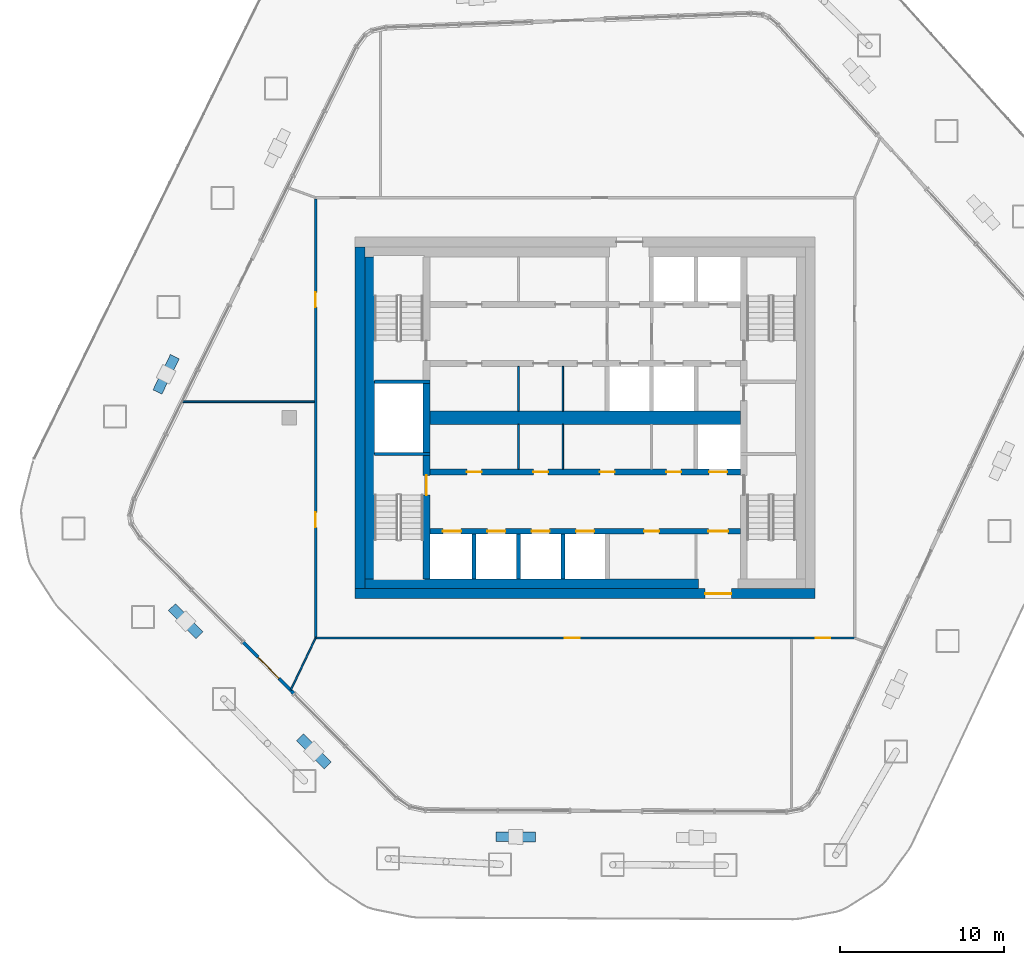
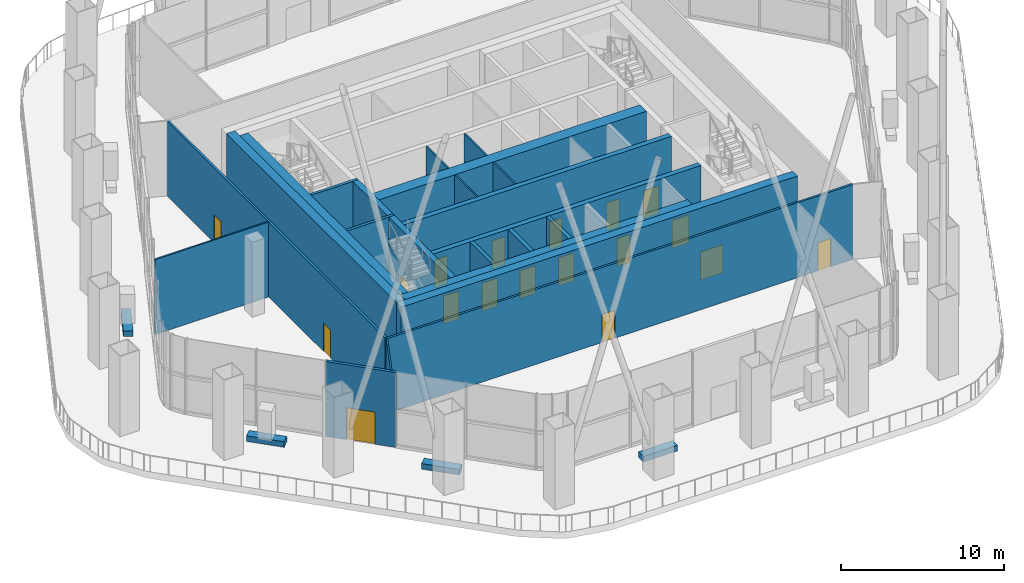
# One storey, part 12 of 20: 27 walls, 18 doors, 18 openings.
"""IFC4 building model written with IfcOpenShell, lengths in metres."""

import ifcopenshell
import ifcopenshell.guid

model = None  # the IFC model being written
_history = None  # IfcOwnerHistory: only IFC2X3 demands one
_inside = {}  # id of a spatial element -> (the spatial element, [elements in it])
_under = {}  # id of a project, library or spatial element -> (it, [spatial elements below it])
_declared = {}  # id of a project -> (the project, [libraries it declares])
_typed = {}  # id of a type object -> (the type object, [elements of that type])
_made_of = {}  # id of a material, layer set ... -> (it, [elements and type objects made of it])


def new_model(schema):
    """Start an empty IFC model of exactly this schema.

    Asked for "IFC4X3", IfcOpenShell would pick the latest addendum, in which some entities
    have other attributes; the version numbers below select the first issue.
    IFC2X3 requires an IfcOwnerHistory on every rooted entity: one is made here for all.
    """
    global model, _history
    if schema == "IFC4X3":
        model = ifcopenshell.file(schema_version=(4, 3, 0, 0))
    else:
        model = ifcopenshell.file(schema=schema)
    _inside.clear()
    _under.clear()
    _declared.clear()
    _typed.clear()
    _made_of.clear()
    _history = None
    if model.schema == "IFC2X3":
        org = make("IfcOrganization", Name="unknown")
        user = make(
            "IfcPersonAndOrganization",
            ThePerson=make("IfcPerson", FamilyName="unknown"),
            TheOrganization=org,
        )
        app = make(
            "IfcApplication",
            ApplicationDeveloper=org,
            Version="unknown",
            ApplicationFullName="unknown",
            ApplicationIdentifier="unknown",
        )
        _history = make(
            "IfcOwnerHistory",
            OwningUser=user,
            OwningApplication=app,
            ChangeAction="ADDED",
            CreationDate=0,
        )
    return model


def make(cls, **values):
    """One entity of the class cls with the attributes given. An attribute that is None is left unset."""
    return model.create_entity(
        cls, **{name: value for name, value in values.items() if value is not None}
    )


def rooted(cls, **values):
    """An entity with a GlobalId (a new one), such as an element, a storey or a relation."""
    return make(cls, GlobalId=ifcopenshell.guid.new(), OwnerHistory=_history, **values)


def si_unit(unit_type, name, prefix=None):
    """IfcSIUnit, for example si_unit("LENGTHUNIT", "METRE", prefix="MILLI")."""
    return make("IfcSIUnit", UnitType=unit_type, Prefix=prefix, Name=name)


def assignment(units):
    """IfcUnitAssignment: the units of a project."""
    return None if units is None else make("IfcUnitAssignment", Units=units)


def point(xyz):
    """IfcCartesianPoint."""
    return None if xyz is None else make("IfcCartesianPoint", Coordinates=xyz)


def direction(xyz):
    """IfcDirection."""
    return None if xyz is None else make("IfcDirection", DirectionRatios=xyz)


def frame(location, z_axis=None, x_axis=None):
    """IfcAxis2Placement3D, a coordinate frame: its origin and axes. An axis left out is left unset."""
    return make(
        "IfcAxis2Placement3D",
        Location=point(location),
        Axis=direction(z_axis),
        RefDirection=direction(x_axis),
    )


def frame_2d(location, x_axis=None):
    """IfcAxis2Placement2D, a coordinate frame in the plane: its origin and x axis."""
    return make(
        "IfcAxis2Placement2D", Location=point(location), RefDirection=direction(x_axis)
    )


def origin():
    """The frame at (0, 0, 0) with its axes left unset."""
    return frame((0.0, 0.0, 0.0))


def place(relative_to, where):
    """IfcLocalPlacement: puts the frame where relative to a parent placement (None: the world)."""
    return make(
        "IfcLocalPlacement", PlacementRelTo=relative_to, RelativePlacement=where
    )


def context(
    kind, dimensions, precision=None, world=None, true_north=None, identifier=None
):
    """IfcGeometricRepresentationContext, for example the 3D "Model" context."""
    return make(
        "IfcGeometricRepresentationContext",
        ContextIdentifier=identifier,
        ContextType=kind,
        CoordinateSpaceDimension=dimensions,
        Precision=precision,
        WorldCoordinateSystem=world,
        TrueNorth=true_north,
    )


def subcontext(parent, identifier, kind, view, scale=None):
    """IfcGeometricRepresentationSubContext, for example "Body" below "Model"."""
    return make(
        "IfcGeometricRepresentationSubContext",
        ContextIdentifier=identifier,
        ContextType=kind,
        ParentContext=parent,
        TargetScale=scale,
        TargetView=view,
    )


def project(units=None, contexts=None):
    """IfcProject with its units and contexts."""
    return rooted(
        "IfcProject",
        Name="project",
        RepresentationContexts=contexts,
        UnitsInContext=assignment(units),
    )


def spatial(cls, under=None, at=None, **own):
    """A site, building, storey or space (cls), placed at a placement, below another one or the project."""
    s = rooted(cls, ObjectPlacement=at, **own)
    if under is not None:
        _under.setdefault(under.id(), (under, []))[1].append(s)
    return s


def profile(cls, at=None, kind="AREA", **sizes):
    """A parametric profile (cls). Its sizes go by their IFC names, for example OverallWidth=200.0."""
    return make(cls, ProfileType=kind, Position=at, **sizes)


def rectangle(**sizes):
    """IfcRectangleProfileDef."""
    return profile("IfcRectangleProfileDef", **sizes)


def extrude(swept, where, along, depth):
    """IfcExtrudedAreaSolid: the profile swept, set in the frame where, extruded along a direction by depth."""
    return make(
        "IfcExtrudedAreaSolid",
        SweptArea=swept,
        Position=where,
        ExtrudedDirection=direction(along),
        Depth=depth,
    )


def shape(context_of_items, identifier, shape_type, items):
    """IfcShapeRepresentation: the items that make up one representation, for example the "Body"."""
    return make(
        "IfcShapeRepresentation",
        ContextOfItems=context_of_items,
        RepresentationIdentifier=identifier,
        RepresentationType=shape_type,
        Items=items,
    )


def material(Name=None, Category=None):
    """IfcMaterial."""
    return make("IfcMaterial", Name=Name, Category=Category)


def layer(
    of_material, thickness, ventilated=None, Name=None, Category=None, Priority=None
):
    """IfcMaterialLayer: one layer of a wall or slab, of a material (None: an air gap)."""
    return make(
        "IfcMaterialLayer",
        Material=of_material,
        LayerThickness=thickness,
        IsVentilated=ventilated,
        Name=Name,
        Category=Category,
        Priority=Priority,
    )


def layer_set(layers, Name=None):
    """IfcMaterialLayerSet."""
    return make("IfcMaterialLayerSet", MaterialLayers=layers, LayerSetName=Name)


def made_of(thing, what):
    """Note that an element or type object is made of a material, layer set ...; save() writes the relation."""
    if what is not None:
        _made_of.setdefault(what.id(), (what, []))[1].append(thing)
    return thing


def type_object(cls, material=None, **own):
    """A type object (cls), such as IfcWallType, which elements share."""
    return made_of(rooted(cls, **own), material)


def element(
    cls,
    number,
    at=None,
    inside=None,
    cuts=None,
    type_object=None,
    material=None,
    context=None,
    identifier="Body",
    shape_type=None,
    held_by="IfcProductDefinitionShape",
    body=None,
    shapes=None,
    **own,
):
    """One element of the class cls, such as IfcWall. Its Tag is "e" and its number.

    at: its placement. inside: the storey or other place that contains it. cuts: it is an
    opening in that element (IfcRelVoidsElement). A single representation is given by context,
    identifier, shape_type and body (its items); several are given by shapes. held_by: the class
    of the entity that holds the representations. save() writes the other relations.
    """
    e = rooted(cls, Tag="e%d" % number, ObjectPlacement=at, **own)
    if body is not None:
        shapes = [shape(context, identifier, shape_type, body)]
    if shapes is not None:
        e.Representation = make(held_by, Representations=shapes)
    if inside is not None:
        _inside.setdefault(inside.id(), (inside, []))[1].append(e)
    if cuts is not None:
        rooted(
            "IfcRelVoidsElement", RelatingBuildingElement=cuts, RelatedOpeningElement=e
        )
    if type_object is not None:
        _typed.setdefault(type_object.id(), (type_object, []))[1].append(e)
    return made_of(e, material)


def fill(opening, filler):
    """IfcRelFillsElement: the door or window that sits in an opening."""
    return rooted(
        "IfcRelFillsElement",
        RelatingOpeningElement=opening,
        RelatedBuildingElement=filler,
    )


def aggregate(whole, parts):
    """IfcRelAggregates: a whole, such as a stair, and the parts it consists of."""
    return rooted("IfcRelAggregates", RelatingObject=whole, RelatedObjects=parts)


def save(model, path):
    """Write the relations noted so far, then the file.

    IfcRelAggregates (storeys below a building ...), IfcRelContainedInSpatialStructure (elements
    in a storey), IfcRelDefinesByType, IfcRelAssociatesMaterial and IfcRelDeclares: one each for
    every whole, place, type object, material and project.
    """
    for whole, parts in _under.values():
        aggregate(whole, parts)
    for where, things in _inside.values():
        rooted(
            "IfcRelContainedInSpatialStructure",
            RelatedElements=things,
            RelatingStructure=where,
        )
    for kind, things in _typed.values():
        rooted("IfcRelDefinesByType", RelatedObjects=things, RelatingType=kind)
    for what, things in _made_of.values():
        rooted("IfcRelAssociatesMaterial", RelatedObjects=things, RelatingMaterial=what)
    for by, libraries in _declared.values():
        rooted("IfcRelDeclares", RelatingContext=by, RelatedDefinitions=libraries)
    model.write(path)


model = new_model("IFC4")

# Units and contexts
model_context = context("Model", 3, precision=1e-05, world=origin(), true_north=direction((0.0, 1.0)))
body_context = subcontext(model_context, "Body", "Model", "MODEL_VIEW")
ifc_project = project(units=[si_unit("LENGTHUNIT", "METRE"), si_unit("AREAUNIT", "SQUARE_METRE"), si_unit("VOLUMEUNIT", "CUBIC_METRE"), si_unit("PLANEANGLEUNIT", "RADIAN"), si_unit("MASSUNIT", "GRAM", prefix="KILO")], contexts=[model_context])

# Site, building, storey
site_placement = place(None, origin())
site = spatial("IfcSite", under=ifc_project, at=site_placement, CompositionType="ELEMENT")
building_placement = place(site_placement, origin())
building = spatial("IfcBuilding", under=site, at=building_placement, Name="Dongbaek Canopy Tower", CompositionType="ELEMENT")
storey_placement = place(building_placement, frame((0.0, 0.0, 353.0)))
storey = spatial("IfcBuildingStorey", under=building, at=storey_placement, Name="L76", CompositionType="ELEMENT", Elevation=353.0)

# Walls
ifc_material_1 = material(Name="Reinforced concrete C40/50 planter trough with soil", Category="concrete")
ifc_layer_1 = layer(ifc_material_1, 0.60009765625)
ifc_layer_set_1 = layer_set([ifc_layer_1], Name="Balcony planter trough")
wall_type_1 = type_object("IfcWallType", Name="Balcony planter trough", PredefinedType="SOLIDWALL", material=ifc_layer_set_1)
for number, where, z_axis, x_axis, name in (
    (1, (-24.966064453125, 3.720947265625, 0.0), (0.0, 0.0, 1.0), (-0.44130354067, -0.897357891252, 0.0), "Deck planter L76 6"),
    (2, (-25.1455078125, -11.52197265625, 0.0), (0.0, 0.0, 1.0), (0.701797321631, -0.712376669573, 0.0), "Deck planter L76 7"),
    (3, (-17.342041015625, -19.444580078125, 0.0), (0.0, 0.0, 1.0), (0.701694834722, -0.712477619947, 0.0), "Deck planter L76 8"),
    (4, (-5.423095703125, -25.493896484375, 0.0), (0.0, 0.0, 1.0), (0.999989982444, -0.004476048752, 0.0), "Deck planter L76 9"),
):
    element("IfcWall", number, at=place(storey_placement, frame(where, z_axis=z_axis, x_axis=x_axis)), inside=storey, type_object=wall_type_1, Name=name, PredefinedType="SOLIDWALL", context=body_context, shape_type="SweptSolid", body=[
        extrude(rectangle(XDim=2.39990234375, YDim=0.60009765625, at=frame_2d((1.199951171875, 0.0))), origin(), (0.0, 0.0, 1.0), 0.419921875),
    ])
ifc_material_2 = material(Name="Concrete C60/75", Category="concrete")
ifc_layer_2 = layer(ifc_material_2, 0.800048828125)
ifc_layer_set_2 = layer_set([ifc_layer_2], Name="Core central wall 800 Concrete C60/75")
wall_type_2 = type_object("IfcWallType", Name="Core central wall 800 Concrete C60/75", PredefinedType="SHEAR", material=ifc_layer_set_2)
wall_1_placement = place(storey_placement, frame((-9.449951171875, 0.0, 0.0), z_axis=(0.0, 0.0, 1.0), x_axis=(1.0, 0.0, 0.0)))
element("IfcWall", 5, at=wall_1_placement, inside=storey, type_object=wall_type_2, Name="Core wall", PredefinedType="SHEAR", context=body_context, shape_type="SweptSolid", body=[
    extrude(rectangle(XDim=18.89990234375, YDim=0.800048828125, at=frame_2d((9.449951171875, 0.0))), origin(), (0.0, 0.0, 1.0), 5.60009765625),
])

# Wall, openings, doors
ifc_material_3 = material(Name="Concrete C60/75", Category="concrete")
ifc_layer_3 = layer(ifc_material_3, 0.35009765625)
ifc_layer_set_3 = layer_set([ifc_layer_3], Name="Core lobby wall 350 Concrete C60/75")
wall_type_3 = type_object("IfcWallType", Name="Core lobby wall 350 Concrete C60/75", PredefinedType="SHEAR", material=ifc_layer_set_3)
wall_2_placement = place(storey_placement, frame((-9.449951171875, -3.300048828125, 0.0), z_axis=(0.0, 0.0, 1.0), x_axis=(1.0, 0.0, 0.0)))
wall_2 = element("IfcWall", 6, at=wall_2_placement, inside=storey, type_object=wall_type_3, Name="Core wall", PredefinedType="SHEAR", context=body_context, shape_type="SweptSolid", body=[
    extrude(rectangle(XDim=18.89990234375, YDim=0.35009765625, at=frame_2d((9.449951171875, 0.0))), origin(), (0.0, 0.0, 1.0), 5.60009765625),
])
opening_1_placement = place(wall_2_placement, frame((17.0, 0.0, 0.0)))
opening_1 = element("IfcOpeningElement", 7, at=opening_1_placement, cuts=wall_2, Name="Opening L76-D016", PredefinedType="OPENING", context=body_context, shape_type="SweptSolid", body=[
    extrude(rectangle(XDim=1.10009765625, YDim=2.10009765625, at=frame_2d((0.550048828125, 1.050048828125))), frame((0.0, 0.18505859375, 0.0), z_axis=(0.0, -1.0, 0.0), x_axis=(1.0, 0.0, 0.0)), (0.0, 0.0, 1.0), 0.3701171875),
])
opening_2_placement = place(wall_2_placement, frame((2.25, 0.0, 0.0)))
opening_2 = element("IfcOpeningElement", 8, at=opening_2_placement, cuts=wall_2, Name="Opening L76-D028", PredefinedType="OPENING", context=body_context, shape_type="SweptSolid", body=[
    extrude(rectangle(XDim=0.89990234375, YDim=2.10009765625, at=frame_2d((0.449951171875, 1.050048828125))), frame((0.0, 0.18505859375, 0.0), z_axis=(0.0, -1.0, 0.0), x_axis=(1.0, 0.0, 0.0)), (0.0, 0.0, 1.0), 0.3701171875),
])
opening_3_placement = place(wall_2_placement, frame((6.300048828125, 0.0, 0.0)))
opening_3 = element("IfcOpeningElement", 9, at=opening_3_placement, cuts=wall_2, Name="Opening L76-D029", PredefinedType="OPENING", context=body_context, shape_type="SweptSolid", body=[
    extrude(rectangle(XDim=0.89990234375, YDim=2.10009765625, at=frame_2d((0.449951171875, 1.050048828125))), frame((0.0, 0.18505859375, 0.0), z_axis=(0.0, -1.0, 0.0), x_axis=(1.0, 0.0, 0.0)), (0.0, 0.0, 1.0), 0.3701171875),
])
opening_4_placement = place(wall_2_placement, frame((10.35009765625, 0.0, 0.0)))
opening_4 = element("IfcOpeningElement", 10, at=opening_4_placement, cuts=wall_2, Name="Opening L76-D030", PredefinedType="OPENING", context=body_context, shape_type="SweptSolid", body=[
    extrude(rectangle(XDim=0.89990234375, YDim=2.10009765625, at=frame_2d((0.449951171875, 1.050048828125))), frame((0.0, 0.18505859375, 0.0), z_axis=(0.0, -1.0, 0.0), x_axis=(1.0, 0.0, 0.0)), (0.0, 0.0, 1.0), 0.3701171875),
])
opening_5_placement = place(wall_2_placement, frame((14.39990234375, 0.0, 0.0)))
opening_5 = element("IfcOpeningElement", 11, at=opening_5_placement, cuts=wall_2, Name="Opening L76-D031", PredefinedType="OPENING", context=body_context, shape_type="SweptSolid", body=[
    extrude(rectangle(XDim=0.89990234375, YDim=2.10009765625, at=frame_2d((0.449951171875, 1.050048828125))), frame((0.0, 0.18505859375, 0.0), z_axis=(0.0, -1.0, 0.0), x_axis=(1.0, 0.0, 0.0)), (0.0, 0.0, 1.0), 0.3701171875),
])
ifc_material_4 = material(Name="Steel", Category="steel")
door_type_1 = type_object("IfcDoorType", Name="Core room door 900 x 2100", OperationType="SINGLE_SWING_LEFT", PredefinedType="DOOR", material=ifc_material_4)
door_1_placement = place(opening_2_placement, origin())
door_1 = element("IfcDoor", 12, at=door_1_placement, inside=storey, type_object=door_type_1, Name="Door L76-D028", OperationType="SINGLE_SWING_LEFT", OverallHeight=2.10009765625, OverallWidth=0.89990234375, PredefinedType="DOOR", context=body_context, shape_type="SweptSolid", body=[
    extrude(rectangle(XDim=0.89990234375, YDim=2.10009765625, at=frame_2d((0.449951171875, 1.050048828125))), frame((0.0, 0.02490234375, 0.0), z_axis=(0.0, -1.0, 0.0), x_axis=(1.0, 0.0, 0.0)), (0.0, 0.0, 1.0), 0.050048828125),
])
fill(opening_2, door_1)
door_2_placement = place(opening_3_placement, origin())
door_2 = element("IfcDoor", 13, at=door_2_placement, inside=storey, type_object=door_type_1, Name="Door L76-D029", OperationType="SINGLE_SWING_RIGHT", OverallHeight=2.10009765625, OverallWidth=0.89990234375, PredefinedType="DOOR", context=body_context, shape_type="SweptSolid", body=[
    extrude(rectangle(XDim=0.89990234375, YDim=2.10009765625, at=frame_2d((0.449951171875, 1.050048828125))), frame((0.0, 0.02490234375, 0.0), z_axis=(0.0, -1.0, 0.0), x_axis=(1.0, 0.0, 0.0)), (0.0, 0.0, 1.0), 0.050048828125),
])
fill(opening_3, door_2)
door_3_placement = place(opening_4_placement, origin())
door_3 = element("IfcDoor", 14, at=door_3_placement, inside=storey, type_object=door_type_1, Name="Door L76-D030", OperationType="SINGLE_SWING_LEFT", OverallHeight=2.10009765625, OverallWidth=0.89990234375, PredefinedType="DOOR", context=body_context, shape_type="SweptSolid", body=[
    extrude(rectangle(XDim=0.89990234375, YDim=2.10009765625, at=frame_2d((0.449951171875, 1.050048828125))), frame((0.0, 0.02490234375, 0.0), z_axis=(0.0, -1.0, 0.0), x_axis=(1.0, 0.0, 0.0)), (0.0, 0.0, 1.0), 0.050048828125),
])
fill(opening_4, door_3)
door_4_placement = place(opening_5_placement, origin())
door_4 = element("IfcDoor", 15, at=door_4_placement, inside=storey, type_object=door_type_1, Name="Door L76-D031", OperationType="SINGLE_SWING_RIGHT", OverallHeight=2.10009765625, OverallWidth=0.89990234375, PredefinedType="DOOR", context=body_context, shape_type="SweptSolid", body=[
    extrude(rectangle(XDim=0.89990234375, YDim=2.10009765625, at=frame_2d((0.449951171875, 1.050048828125))), frame((0.0, 0.02490234375, 0.0), z_axis=(0.0, -1.0, 0.0), x_axis=(1.0, 0.0, 0.0)), (0.0, 0.0, 1.0), 0.050048828125),
])
fill(opening_5, door_4)
ifc_material_5 = material(Name="Stainless steel", Category="steel")
door_type_2 = type_object("IfcDoorType", Name="Lift landing door 1100 x 2100", OperationType="DOUBLE_DOOR_SLIDING", PredefinedType="DOOR", material=ifc_material_5)
door_5_placement = place(opening_1_placement, origin())
door_5 = element("IfcDoor", 16, at=door_5_placement, inside=storey, type_object=door_type_2, Name="Landing door SV2", OperationType="DOUBLE_DOOR_SLIDING", OverallHeight=2.10009765625, OverallWidth=1.10009765625, PredefinedType="DOOR", context=body_context, shape_type="SweptSolid", body=[
    extrude(rectangle(XDim=1.10009765625, YDim=2.10009765625, at=frame_2d((0.550048828125, 1.050048828125))), frame((0.0, 0.02490234375, 0.0), z_axis=(0.0, -1.0, 0.0), x_axis=(1.0, 0.0, 0.0)), (0.0, 0.0, 1.0), 0.050048828125),
])
fill(opening_1, door_5)

wall_3_placement = place(storey_placement, frame((9.449951171875, -6.89990234375, 0.0), z_axis=(0.0, 0.0, 1.0), x_axis=(-1.0, 0.0, 0.0)))
wall_3 = element("IfcWall", 17, at=wall_3_placement, inside=storey, type_object=wall_type_3, Name="Core wall", PredefinedType="SHEAR", context=body_context, shape_type="SweptSolid", body=[
    extrude(rectangle(XDim=18.89990234375, YDim=0.35009765625, at=frame_2d((9.449951171875, 0.0))), origin(), (0.0, 0.0, 1.0), 5.60009765625),
])
opening_6_placement = place(wall_3_placement, frame((17.0, 0.0, 0.0)))
opening_6 = element("IfcOpeningElement", 18, at=opening_6_placement, cuts=wall_3, Name="Opening L76-D017", PredefinedType="OPENING", context=body_context, shape_type="SweptSolid", body=[
    extrude(rectangle(XDim=1.10009765625, YDim=2.10009765625, at=frame_2d((0.550048828125, 1.050048828125))), frame((0.0, 0.18505859375, 0.0), z_axis=(0.0, -1.0, 0.0), x_axis=(1.0, 0.0, 0.0)), (0.0, 0.0, 1.0), 0.3701171875),
])
opening_7_placement = place(wall_3_placement, frame((14.300048828125, 0.0, 0.0)))
opening_7 = element("IfcOpeningElement", 19, at=opening_7_placement, cuts=wall_3, Name="Opening L76-D018", PredefinedType="OPENING", context=body_context, shape_type="SweptSolid", body=[
    extrude(rectangle(XDim=1.10009765625, YDim=2.10009765625, at=frame_2d((0.550048828125, 1.050048828125))), frame((0.0, 0.18505859375, 0.0), z_axis=(0.0, -1.0, 0.0), x_axis=(1.0, 0.0, 0.0)), (0.0, 0.0, 1.0), 0.3701171875),
])
opening_8_placement = place(wall_3_placement, frame((11.60009765625, 0.0, 0.0)))
opening_8 = element("IfcOpeningElement", 20, at=opening_8_placement, cuts=wall_3, Name="Opening L76-D019", PredefinedType="OPENING", context=body_context, shape_type="SweptSolid", body=[
    extrude(rectangle(XDim=1.10009765625, YDim=2.10009765625, at=frame_2d((0.550048828125, 1.050048828125))), frame((0.0, 0.18505859375, 0.0), z_axis=(0.0, -1.0, 0.0), x_axis=(1.0, 0.0, 0.0)), (0.0, 0.0, 1.0), 0.3701171875),
])
opening_9_placement = place(wall_3_placement, frame((8.89990234375, 0.0, 0.0)))
opening_9 = element("IfcOpeningElement", 21, at=opening_9_placement, cuts=wall_3, Name="Opening L76-D020", PredefinedType="OPENING", context=body_context, shape_type="SweptSolid", body=[
    extrude(rectangle(XDim=1.10009765625, YDim=2.10009765625, at=frame_2d((0.550048828125, 1.050048828125))), frame((0.0, 0.18505859375, 0.0), z_axis=(0.0, -1.0, 0.0), x_axis=(1.0, 0.0, 0.0)), (0.0, 0.0, 1.0), 0.3701171875),
])
opening_10_placement = place(wall_3_placement, frame((0.75, 0.0, 0.0)))
opening_10 = element("IfcOpeningElement", 22, at=opening_10_placement, cuts=wall_3, Name="Opening L76-D022", PredefinedType="OPENING", context=body_context, shape_type="SweptSolid", body=[
    extrude(rectangle(XDim=1.199951171875, YDim=2.10009765625, at=frame_2d((0.60009765625, 1.050048828125))), frame((0.0, 0.18505859375, 0.0), z_axis=(0.0, -1.0, 0.0), x_axis=(1.0, 0.0, 0.0)), (0.0, 0.0, 1.0), 0.3701171875),
])
opening_11_placement = place(wall_3_placement, frame((4.949951171875, 0.0, 0.0)))
opening_11 = element("IfcOpeningElement", 23, at=opening_11_placement, cuts=wall_3, Name="Opening L76-D032", PredefinedType="OPENING", context=body_context, shape_type="SweptSolid", body=[
    extrude(rectangle(XDim=0.89990234375, YDim=2.10009765625, at=frame_2d((0.449951171875, 1.050048828125))), frame((0.0, 0.18505859375, 0.0), z_axis=(0.0, -1.0, 0.0), x_axis=(1.0, 0.0, 0.0)), (0.0, 0.0, 1.0), 0.3701171875),
])
door_6_placement = place(opening_11_placement, origin())
door_6 = element("IfcDoor", 24, at=door_6_placement, inside=storey, type_object=door_type_1, Name="Door L76-D032", OperationType="SINGLE_SWING_LEFT", OverallHeight=2.10009765625, OverallWidth=0.89990234375, PredefinedType="DOOR", context=body_context, shape_type="SweptSolid", body=[
    extrude(rectangle(XDim=0.89990234375, YDim=2.10009765625, at=frame_2d((0.449951171875, 1.050048828125))), frame((0.0, 0.02490234375, 0.0), z_axis=(0.0, -1.0, 0.0), x_axis=(1.0, 0.0, 0.0)), (0.0, 0.0, 1.0), 0.050048828125),
])
fill(opening_11, door_6)
ifc_material_6 = material(Name="Steel", Category="steel")
door_type_3 = type_object("IfcDoorType", Name="Fire lobby door 1200 x 2100", OperationType="SINGLE_SWING_LEFT", PredefinedType="DOOR", material=ifc_material_6)
door_7_placement = place(opening_10_placement, origin())
door_7 = element("IfcDoor", 25, at=door_7_placement, inside=storey, type_object=door_type_3, Name="Door L76-D022", OperationType="SINGLE_SWING_LEFT", OverallHeight=2.10009765625, OverallWidth=1.199951171875, PredefinedType="DOOR", context=body_context, shape_type="SweptSolid", body=[
    extrude(rectangle(XDim=1.199951171875, YDim=2.10009765625, at=frame_2d((0.60009765625, 1.050048828125))), frame((0.0, 0.02490234375, 0.0), z_axis=(0.0, -1.0, 0.0), x_axis=(1.0, 0.0, 0.0)), (0.0, 0.0, 1.0), 0.050048828125),
])
fill(opening_10, door_7)
door_8_placement = place(opening_6_placement, origin())
door_8 = element("IfcDoor", 26, at=door_8_placement, inside=storey, type_object=door_type_2, Name="Landing door HR1", OperationType="DOUBLE_DOOR_SLIDING", OverallHeight=2.10009765625, OverallWidth=1.10009765625, PredefinedType="DOOR", context=body_context, shape_type="SweptSolid", body=[
    extrude(rectangle(XDim=1.10009765625, YDim=2.10009765625, at=frame_2d((0.550048828125, 1.050048828125))), frame((0.0, 0.02490234375, 0.0), z_axis=(0.0, -1.0, 0.0), x_axis=(1.0, 0.0, 0.0)), (0.0, 0.0, 1.0), 0.050048828125),
])
fill(opening_6, door_8)
door_9_placement = place(opening_7_placement, origin())
door_9 = element("IfcDoor", 27, at=door_9_placement, inside=storey, type_object=door_type_2, Name="Landing door HR2", OperationType="DOUBLE_DOOR_SLIDING", OverallHeight=2.10009765625, OverallWidth=1.10009765625, PredefinedType="DOOR", context=body_context, shape_type="SweptSolid", body=[
    extrude(rectangle(XDim=1.10009765625, YDim=2.10009765625, at=frame_2d((0.550048828125, 1.050048828125))), frame((0.0, 0.02490234375, 0.0), z_axis=(0.0, -1.0, 0.0), x_axis=(1.0, 0.0, 0.0)), (0.0, 0.0, 1.0), 0.050048828125),
])
fill(opening_7, door_9)
door_10_placement = place(opening_8_placement, origin())
door_10 = element("IfcDoor", 28, at=door_10_placement, inside=storey, type_object=door_type_2, Name="Landing door HR3", OperationType="DOUBLE_DOOR_SLIDING", OverallHeight=2.10009765625, OverallWidth=1.10009765625, PredefinedType="DOOR", context=body_context, shape_type="SweptSolid", body=[
    extrude(rectangle(XDim=1.10009765625, YDim=2.10009765625, at=frame_2d((0.550048828125, 1.050048828125))), frame((0.0, 0.02490234375, 0.0), z_axis=(0.0, -1.0, 0.0), x_axis=(1.0, 0.0, 0.0)), (0.0, 0.0, 1.0), 0.050048828125),
])
fill(opening_8, door_10)
door_11_placement = place(opening_9_placement, origin())
door_11 = element("IfcDoor", 29, at=door_11_placement, inside=storey, type_object=door_type_2, Name="Landing door HR4", OperationType="DOUBLE_DOOR_SLIDING", OverallHeight=2.10009765625, OverallWidth=1.10009765625, PredefinedType="DOOR", context=body_context, shape_type="SweptSolid", body=[
    extrude(rectangle(XDim=1.10009765625, YDim=2.10009765625, at=frame_2d((0.550048828125, 1.050048828125))), frame((0.0, 0.02490234375, 0.0), z_axis=(0.0, -1.0, 0.0), x_axis=(1.0, 0.0, 0.0)), (0.0, 0.0, 1.0), 0.050048828125),
])
fill(opening_9, door_11)

# Wall, opening, door
ifc_material_7 = material(Name="Concrete C80/95", Category="concrete")
ifc_layer_4 = layer(ifc_material_7, 0.60009765625)
ifc_layer_set_4 = layer_set([ifc_layer_4], Name="Core outer wall 600 Concrete C80/95")
wall_type_4 = type_object("IfcWallType", Name="Core outer wall 600 Concrete C80/95", PredefinedType="SHEAR", material=ifc_layer_set_4)
wall_4_placement = place(storey_placement, frame((14.0, -10.699951171875, 0.0), z_axis=(0.0, 0.0, 1.0), x_axis=(-1.0, 0.0, 0.0)))
wall_4 = element("IfcWall", 30, at=wall_4_placement, inside=storey, type_object=wall_type_4, Name="Core wall", PredefinedType="SHEAR", context=body_context, shape_type="SweptSolid", body=[
    extrude(rectangle(XDim=28.0, YDim=0.60009765625, at=frame_2d((14.0, 0.0))), origin(), (0.0, 0.0, 1.0), 5.60009765625),
])
opening_12_placement = place(wall_4_placement, frame((5.10009765625, 0.0, 0.0)))
opening_12 = element("IfcOpeningElement", 31, at=opening_12_placement, cuts=wall_4, Name="Opening L76-D021", PredefinedType="OPENING", context=body_context, shape_type="SweptSolid", body=[
    extrude(rectangle(XDim=1.60009765625, YDim=2.10009765625, at=frame_2d((0.800048828125, 1.050048828125))), frame((0.0, 0.31005859375, 0.0), z_axis=(0.0, -1.0, 0.0), x_axis=(1.0, 0.0, 0.0)), (0.0, 0.0, 1.0), 0.6201171875),
])
ifc_material_8 = material(Name="Steel", Category="steel")
door_type_4 = type_object("IfcDoorType", Name="Core exit door 1600 x 2100", OperationType="DOUBLE_DOOR_SINGLE_SWING", PredefinedType="DOOR", material=ifc_material_8)
door_12_placement = place(opening_12_placement, origin())
door_12 = element("IfcDoor", 32, at=door_12_placement, inside=storey, type_object=door_type_4, Name="Core exit door", OperationType="DOUBLE_DOOR_SINGLE_SWING", OverallHeight=2.10009765625, OverallWidth=1.60009765625, PredefinedType="DOOR", context=body_context, shape_type="SweptSolid", body=[
    extrude(rectangle(XDim=1.60009765625, YDim=2.10009765625, at=frame_2d((0.800048828125, 1.050048828125))), frame((0.0, 0.02490234375, 0.0), z_axis=(0.0, -1.0, 0.0), x_axis=(1.0, 0.0, 0.0)), (0.0, 0.0, 1.0), 0.050048828125),
])
fill(opening_12, door_12)

# Walls
wall_5_placement = place(storey_placement, frame((-13.699951171875, -10.39990234375, 0.0), z_axis=(0.0, 0.0, 1.0), x_axis=(0.0, 1.0, 0.0)))
element("IfcWall", 33, at=wall_5_placement, inside=storey, type_object=wall_type_4, Name="Core wall", PredefinedType="SHEAR", context=body_context, shape_type="SweptSolid", body=[
    extrude(rectangle(XDim=20.7998046875, YDim=0.60009765625, at=frame_2d((10.39990234375, 0.0))), origin(), (0.0, 0.0, 1.0), 5.60009765625),
])
ifc_material_9 = material(Name="Concrete C60/75", Category="concrete")
ifc_layer_5 = layer(ifc_material_9, 0.60009765625)
ifc_layer_set_5 = layer_set([ifc_layer_5], Name="Core wall lining 600 Concrete C60/75")
wall_type_5 = type_object("IfcWallType", Name="Core wall lining 600 Concrete C60/75", PredefinedType="SHEAR", material=ifc_layer_set_5)
wall_6_placement = place(storey_placement, frame((6.89990234375, -10.10009765625, 0.0), z_axis=(0.0, 0.0, 1.0), x_axis=(-1.0, 0.0, 0.0)))
element("IfcWall", 34, at=wall_6_placement, inside=storey, type_object=wall_type_5, Name="Core wall lining", PredefinedType="SHEAR", context=body_context, shape_type="SweptSolid", body=[
    extrude(rectangle(XDim=20.2998046875, YDim=0.60009765625, at=frame_2d((10.14990234375, 0.0))), origin(), (0.0, 0.0, 1.0), 5.60009765625),
])
wall_7_placement = place(storey_placement, frame((-13.10009765625, -9.800048828125, 0.0), z_axis=(0.0, 0.0, 1.0), x_axis=(0.0, 1.0, 0.0)))
element("IfcWall", 35, at=wall_7_placement, inside=storey, type_object=wall_type_5, Name="Core wall lining", PredefinedType="SHEAR", context=body_context, shape_type="SweptSolid", body=[
    extrude(rectangle(XDim=19.60009765625, YDim=0.60009765625, at=frame_2d((9.800048828125, 0.0))), origin(), (0.0, 0.0, 1.0), 5.60009765625),
])

# Wall, opening, door
ifc_material_10 = material(Name="Aluminium window wall", Category="aluminium")
ifc_layer_6 = layer(ifc_material_10, 0.199951171875)
ifc_layer_set_6 = layer_set([ifc_layer_6], Name="Entrance wall 200")
wall_type_6 = type_object("IfcWallType", Name="Entrance wall 200", PredefinedType="SOLIDWALL", material=ifc_layer_set_6)
wall_8_placement = place(storey_placement, frame((-17.701171875, -16.800048828125, 0.0), z_axis=(0.0, 0.0, 1.0), x_axis=(-0.701707571783, 0.712465075426, 0.0)))
wall_8 = element("IfcWall", 36, at=wall_8_placement, inside=storey, type_object=wall_type_6, Name="Lounge entrance wall F3 3", PredefinedType="SOLIDWALL", context=body_context, shape_type="SweptSolid", body=[
    extrude(rectangle(XDim=4.4482421875, YDim=0.199951171875, at=frame_2d((2.22412109375, 0.0))), origin(), (0.0, 0.0, 1.0), 5.60009765625),
])
opening_13_placement = place(wall_8_placement, frame((1.323974609375, 0.0, 0.0)))
opening_13 = element("IfcOpeningElement", 37, at=opening_13_placement, cuts=wall_8, Name="Opening L76-D976", PredefinedType="OPENING", context=body_context, shape_type="SweptSolid", body=[
    extrude(rectangle(XDim=1.800048828125, YDim=2.39990234375, at=frame_2d((0.89990234375, 1.199951171875))), frame((0.0, 0.10986328125, 0.0), z_axis=(0.0, -1.0, 0.0), x_axis=(1.0, 0.0, 0.0)), (0.0, 0.0, 1.0), 0.219970703125),
])
ifc_material_11 = material(Name="Clear glazing in aluminium frame", Category="aluminium")
door_type_5 = type_object("IfcDoorType", Name="Lounge door LD1 1800 x 2400", OperationType="DOUBLE_DOOR_SINGLE_SWING", PredefinedType="DOOR", material=ifc_material_11)
door_13_placement = place(opening_13_placement, origin())
door_13 = element("IfcDoor", 38, at=door_13_placement, inside=storey, type_object=door_type_5, Name="Deck door L76-D976", OperationType="SINGLE_SWING_LEFT", OverallHeight=2.39990234375, OverallWidth=1.800048828125, PredefinedType="DOOR", context=body_context, shape_type="SweptSolid", body=[
    extrude(rectangle(XDim=1.800048828125, YDim=2.39990234375, at=frame_2d((0.89990234375, 1.199951171875))), frame((0.0, 0.02490234375, 0.0), z_axis=(0.0, -1.0, 0.0), x_axis=(1.0, 0.0, 0.0)), (0.0, 0.0, 1.0), 0.050048828125),
])
fill(opening_13, door_13)

# Wall, openings, doors
ifc_material_12 = material(Name="Gypsum board partition, steel stud, 2 x 15 mm fire board", Category="steel")
ifc_layer_7 = layer(ifc_material_12, 0.14990234375)
ifc_layer_set_7 = layer_set([ifc_layer_7], Name="Fire-rated partition 150 gypsum board")
wall_type_7 = type_object("IfcWallType", Name="Fire-rated partition 150 gypsum board", PredefinedType="PARTITIONING", material=ifc_layer_set_7)
wall_9_placement = place(storey_placement, frame((16.47509765625, -13.39990234375, 0.0), z_axis=(0.0, 0.0, 1.0), x_axis=(-1.0, 0.0, 0.0)))
wall_9 = element("IfcWall", 39, at=wall_9_placement, inside=storey, type_object=wall_type_7, Name="Corridor partition", PredefinedType="PARTITIONING", context=body_context, shape_type="SweptSolid", body=[
    extrude(rectangle(XDim=32.9501953125, YDim=0.14990234375, at=frame_2d((16.47509765625, 0.0))), origin(), (0.0, 0.0, 1.0), 5.60009765625),
])
opening_14_placement = place(wall_9_placement, frame((16.808837890625, 0.0, 0.0)))
opening_14 = element("IfcOpeningElement", 40, at=opening_14_placement, cuts=wall_9, Name="Opening L76-D002", PredefinedType="OPENING", context=body_context, shape_type="SweptSolid", body=[
    extrude(rectangle(XDim=0.89990234375, YDim=2.10009765625, at=frame_2d((0.449951171875, 1.050048828125))), frame((0.0, 0.0849609375, 0.0), z_axis=(0.0, -1.0, 0.0), x_axis=(1.0, 0.0, 0.0)), (0.0, 0.0, 1.0), 0.169921875),
])
opening_15_placement = place(wall_9_placement, frame((1.5419921875, 0.0, 0.0)))
opening_15 = element("IfcOpeningElement", 41, at=opening_15_placement, cuts=wall_9, Name="Opening L76-D003", PredefinedType="OPENING", context=body_context, shape_type="SweptSolid", body=[
    extrude(rectangle(XDim=0.89990234375, YDim=2.10009765625, at=frame_2d((0.449951171875, 1.050048828125))), frame((0.0, 0.0849609375, 0.0), z_axis=(0.0, -1.0, 0.0), x_axis=(1.0, 0.0, 0.0)), (0.0, 0.0, 1.0), 0.169921875),
])
ifc_material_13 = material(Name="Timber veneered door leaf", Category="wood")
door_type_6 = type_object("IfcDoorType", Name="Room door 900 x 2100", OperationType="SINGLE_SWING_LEFT", PredefinedType="DOOR", material=ifc_material_13)
door_14_placement = place(opening_14_placement, origin())
door_14 = element("IfcDoor", 42, at=door_14_placement, inside=storey, type_object=door_type_6, Name="Door L76-D002", OperationType="SINGLE_SWING_LEFT", OverallHeight=2.10009765625, OverallWidth=0.89990234375, PredefinedType="DOOR", context=body_context, shape_type="SweptSolid", body=[
    extrude(rectangle(XDim=0.89990234375, YDim=2.10009765625, at=frame_2d((0.449951171875, 1.050048828125))), frame((0.0, 0.02490234375, 0.0), z_axis=(0.0, -1.0, 0.0), x_axis=(1.0, 0.0, 0.0)), (0.0, 0.0, 1.0), 0.050048828125),
])
fill(opening_14, door_14)
door_15_placement = place(opening_15_placement, origin())
door_15 = element("IfcDoor", 43, at=door_15_placement, inside=storey, type_object=door_type_6, Name="Door L76-D003", OperationType="SINGLE_SWING_RIGHT", OverallHeight=2.10009765625, OverallWidth=0.89990234375, PredefinedType="DOOR", context=body_context, shape_type="SweptSolid", body=[
    extrude(rectangle(XDim=0.89990234375, YDim=2.10009765625, at=frame_2d((0.449951171875, 1.050048828125))), frame((0.0, 0.02490234375, 0.0), z_axis=(0.0, -1.0, 0.0), x_axis=(1.0, 0.0, 0.0)), (0.0, 0.0, 1.0), 0.050048828125),
])
fill(opening_15, door_15)

wall_10_placement = place(storey_placement, frame((-16.39990234375, -13.324951171875, 0.0), z_axis=(0.0, 0.0, 1.0), x_axis=(0.0, 1.0, 0.0)))
wall_10 = element("IfcWall", 44, at=wall_10_placement, inside=storey, type_object=wall_type_7, Name="Corridor partition", PredefinedType="PARTITIONING", context=body_context, shape_type="SweptSolid", body=[
    extrude(rectangle(XDim=26.64990234375, YDim=0.14990234375, at=frame_2d((13.324951171875, 0.0))), origin(), (0.0, 0.0, 1.0), 5.60009765625),
])
opening_16_placement = place(wall_10_placement, frame((6.66357421875, 0.0, 0.0)))
opening_16 = element("IfcOpeningElement", 45, at=opening_16_placement, cuts=wall_10, Name="Opening L76-D001", PredefinedType="OPENING", context=body_context, shape_type="SweptSolid", body=[
    extrude(rectangle(XDim=0.89990234375, YDim=2.10009765625, at=frame_2d((0.449951171875, 1.050048828125))), frame((0.0, 0.0849609375, 0.0), z_axis=(0.0, -1.0, 0.0), x_axis=(1.0, 0.0, 0.0)), (0.0, 0.0, 1.0), 0.169921875),
])
opening_17_placement = place(wall_10_placement, frame((20.0634765625, 0.0, 0.0)))
opening_17 = element("IfcOpeningElement", 46, at=opening_17_placement, cuts=wall_10, Name="Opening L76-D007", PredefinedType="OPENING", context=body_context, shape_type="SweptSolid", body=[
    extrude(rectangle(XDim=0.89990234375, YDim=2.10009765625, at=frame_2d((0.449951171875, 1.050048828125))), frame((0.0, 0.0849609375, 0.0), z_axis=(0.0, -1.0, 0.0), x_axis=(1.0, 0.0, 0.0)), (0.0, 0.0, 1.0), 0.169921875),
])
door_16_placement = place(opening_16_placement, origin())
door_16 = element("IfcDoor", 47, at=door_16_placement, inside=storey, type_object=door_type_6, Name="Door L76-D001", OperationType="SINGLE_SWING_RIGHT", OverallHeight=2.10009765625, OverallWidth=0.89990234375, PredefinedType="DOOR", context=body_context, shape_type="SweptSolid", body=[
    extrude(rectangle(XDim=0.89990234375, YDim=2.10009765625, at=frame_2d((0.449951171875, 1.050048828125))), frame((0.0, 0.02490234375, 0.0), z_axis=(0.0, -1.0, 0.0), x_axis=(1.0, 0.0, 0.0)), (0.0, 0.0, 1.0), 0.050048828125),
])
fill(opening_16, door_16)
door_17_placement = place(opening_17_placement, origin())
door_17 = element("IfcDoor", 48, at=door_17_placement, inside=storey, type_object=door_type_6, Name="Door L76-D007", OperationType="SINGLE_SWING_RIGHT", OverallHeight=2.10009765625, OverallWidth=0.89990234375, PredefinedType="DOOR", context=body_context, shape_type="SweptSolid", body=[
    extrude(rectangle(XDim=0.89990234375, YDim=2.10009765625, at=frame_2d((0.449951171875, 1.050048828125))), frame((0.0, 0.02490234375, 0.0), z_axis=(0.0, -1.0, 0.0), x_axis=(1.0, 0.0, 0.0)), (0.0, 0.0, 1.0), 0.050048828125),
])
fill(opening_17, door_17)

# Walls
ifc_material_14 = material(Name="Concrete C40/50", Category="concrete")
ifc_layer_8 = layer(ifc_material_14, 0.25)
ifc_layer_set_8 = layer_set([ifc_layer_8], Name="Lift shaft wall 250 Concrete C40/50")
wall_type_8 = type_object("IfcWallType", Name="Lift shaft wall 250 Concrete C40/50", PredefinedType="SOLIDWALL", material=ifc_layer_set_8)
for number, where, z_axis, x_axis, name in (
    (49, (-1.35009765625, -9.800048828125, 0.0), (0.0, 0.0, 1.0), (0.0, 1.0, 0.0), "Lift shaft wall"),
    (50, (-4.050048828125, -9.800048828125, 0.0), (0.0, 0.0, 1.0), (0.0, 1.0, 0.0), "Lift shaft wall"),
    (51, (-6.75, -9.800048828125, 0.0), (0.0, 0.0, 1.0), (0.0, 1.0, 0.0), "Lift shaft wall"),
):
    element("IfcWall", number, at=place(storey_placement, frame(where, z_axis=z_axis, x_axis=x_axis)), inside=storey, type_object=wall_type_8, Name=name, PredefinedType="SOLIDWALL", context=body_context, shape_type="SweptSolid", body=[
        extrude(rectangle(XDim=2.72509765625, YDim=0.25, at=frame_2d((1.362548828125, 0.0))), origin(), (0.0, 0.0, 1.0), 5.60009765625),
    ])
ifc_material_15 = material(Name="Gypsum board partition, steel stud, 2 x 12.5 mm board", Category="steel")
ifc_layer_9 = layer(ifc_material_15, 0.10009765625)
ifc_layer_set_9 = layer_set([ifc_layer_9], Name="Partition 100 gypsum board")
wall_type_9 = type_object("IfcWallType", Name="Partition 100 gypsum board", PredefinedType="PARTITIONING", material=ifc_layer_set_9)
wall_11_placement = place(storey_placement, frame((-24.51025390625, 0.97705078125, 0.0), z_axis=(0.0, 0.0, 1.0), x_axis=(1.0, 0.0, 0.0)))
element("IfcWall", 52, at=wall_11_placement, inside=storey, type_object=wall_type_9, Name="Partition", PredefinedType="PARTITIONING", context=body_context, shape_type="SweptSolid", body=[
    extrude(rectangle(XDim=8.03515625, YDim=0.10009765625, at=frame_2d((4.017578125, 0.0))), origin(), (0.0, 0.0, 1.0), 5.60009765625),
])
wall_12_placement = place(storey_placement, frame((-17.908203125, -16.56103515625, 0.0), z_axis=(0.0, 0.0, 1.0), x_axis=(0.430658615436, 0.902514906775, 0.0)))
element("IfcWall", 53, at=wall_12_placement, inside=storey, type_object=wall_type_9, Name="Partition", PredefinedType="PARTITIONING", context=body_context, shape_type="SweptSolid", body=[
    extrude(rectangle(XDim=3.502197265625, YDim=0.10009765625, at=frame_2d((1.7509765625, 0.0))), origin(), (0.0, 0.0, 1.0), 5.60009765625),
])
for number, where, z_axis, x_axis, name in (
    (54, (-1.35009765625, -3.125, 0.0), (0.0, 0.0, 1.0), (0.0, 1.0, 0.0), "Core partition"),
    (55, (-1.35009765625, 0.39990234375, 0.0), (0.0, 0.0, 1.0), (0.0, 1.0, 0.0), "Core partition"),
    (56, (-4.050048828125, -3.125, 0.0), (0.0, 0.0, 1.0), (0.0, 1.0, 0.0), "Core partition"),
    (57, (-4.050048828125, 0.39990234375, 0.0), (0.0, 0.0, 1.0), (0.0, 1.0, 0.0), "Core partition"),
):
    element("IfcWall", number, at=place(storey_placement, frame(where, z_axis=z_axis, x_axis=x_axis)), inside=storey, type_object=wall_type_9, Name=name, PredefinedType="PARTITIONING", context=body_context, shape_type="SweptSolid", body=[
        extrude(rectangle(XDim=2.72509765625, YDim=0.10009765625, at=frame_2d((1.362548828125, 0.0))), origin(), (0.0, 0.0, 1.0), 5.60009765625),
    ])
ifc_material_16 = material(Name="Concrete C60/75", Category="concrete")
ifc_layer_10 = layer(ifc_material_16, 0.199951171875)
ifc_layer_set_10 = layer_set([ifc_layer_10], Name="Riser wall 200 Concrete C60/75")
wall_type_10 = type_object("IfcWallType", Name="Riser wall 200 Concrete C60/75", PredefinedType="SHEAR", material=ifc_layer_set_10)
for number, where, z_axis, x_axis, name in (
    (58, (-9.449951171875, 2.199951171875, 0.0), (0.0, 0.0, 1.0), (-1.0, 0.0, 0.0), "Riser wall"),
    (59, (-9.449951171875, -2.199951171875, 0.0), (0.0, 0.0, 1.0), (-1.0, 0.0, 0.0), "Riser wall"),
):
    element("IfcWall", number, at=place(storey_placement, frame(where, z_axis=z_axis, x_axis=x_axis)), inside=storey, type_object=wall_type_10, Name=name, PredefinedType="SHEAR", context=body_context, shape_type="SweptSolid", body=[
        extrude(rectangle(XDim=3.35009765625, YDim=0.199951171875, at=frame_2d((1.675048828125, 0.0))), origin(), (0.0, 0.0, 1.0), 5.60009765625),
    ])

# Wall, opening, door
ifc_material_17 = material(Name="Concrete C60/75", Category="concrete")
ifc_layer_11 = layer(ifc_material_17, 0.39990234375)
ifc_layer_set_11 = layer_set([ifc_layer_11], Name="Stair wall 400 Concrete C60/75")
wall_type_11 = type_object("IfcWallType", Name="Stair wall 400 Concrete C60/75", PredefinedType="SHEAR", material=ifc_layer_set_11)
wall_13_placement = place(storey_placement, frame((-9.64990234375, -9.800048828125, 0.0), z_axis=(0.0, 0.0, 1.0), x_axis=(0.0, 1.0, 0.0)))
wall_13 = element("IfcWall", 60, at=wall_13_placement, inside=storey, type_object=wall_type_11, Name="Stair wall", PredefinedType="SHEAR", context=body_context, shape_type="SweptSolid", body=[
    extrude(rectangle(XDim=7.5, YDim=0.39990234375, at=frame_2d((3.75, 0.0))), origin(), (0.0, 0.0, 1.0), 5.60009765625),
])
opening_18_placement = place(wall_13_placement, frame((5.10009765625, 0.0, 0.0)))
opening_18 = element("IfcOpeningElement", 61, at=opening_18_placement, cuts=wall_13, Name="Opening L76-D036", PredefinedType="OPENING", context=body_context, shape_type="SweptSolid", body=[
    extrude(rectangle(XDim=1.199951171875, YDim=2.10009765625, at=frame_2d((0.60009765625, 1.050048828125))), frame((0.0, 0.2099609375, 0.0), z_axis=(0.0, -1.0, 0.0), x_axis=(1.0, 0.0, 0.0)), (0.0, 0.0, 1.0), 0.419921875),
])
ifc_material_18 = material(Name="Steel", Category="steel")
door_type_7 = type_object("IfcDoorType", Name="Stair door 1200 x 2100", OperationType="SINGLE_SWING_LEFT", PredefinedType="DOOR", material=ifc_material_18)
door_18_placement = place(opening_18_placement, origin())
door_18 = element("IfcDoor", 62, at=door_18_placement, inside=storey, type_object=door_type_7, Name="Stair D door", OperationType="SINGLE_SWING_LEFT", OverallHeight=2.10009765625, OverallWidth=1.199951171875, PredefinedType="DOOR", context=body_context, shape_type="SweptSolid", body=[
    extrude(rectangle(XDim=1.199951171875, YDim=2.10009765625, at=frame_2d((0.60009765625, 1.050048828125))), frame((0.0, 0.02490234375, 0.0), z_axis=(0.0, -1.0, 0.0), x_axis=(1.0, 0.0, 0.0)), (0.0, 0.0, 1.0), 0.050048828125),
])
fill(opening_18, door_18)

# Wall
wall_14_placement = place(storey_placement, frame((-9.64990234375, -2.10009765625, 0.0), z_axis=(0.0, 0.0, 1.0), x_axis=(0.0, 1.0, 0.0)))
element("IfcWall", 63, at=wall_14_placement, inside=storey, type_object=wall_type_11, Name="Stair wall", PredefinedType="SHEAR", context=body_context, shape_type="SweptSolid", body=[
    extrude(rectangle(XDim=4.2001953125, YDim=0.39990234375, at=frame_2d((2.10009765625, 0.0))), origin(), (0.0, 0.0, 1.0), 5.60009765625),
])

save(model, "model.ifc")
